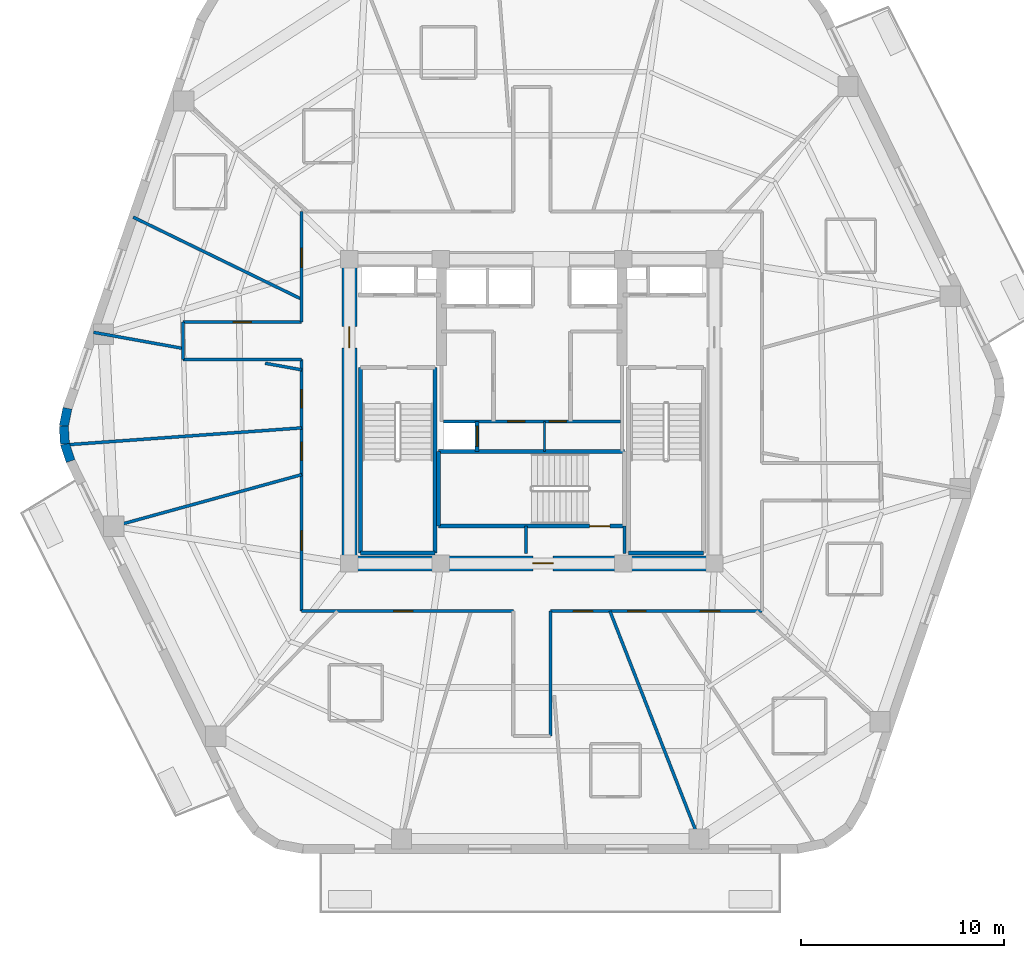
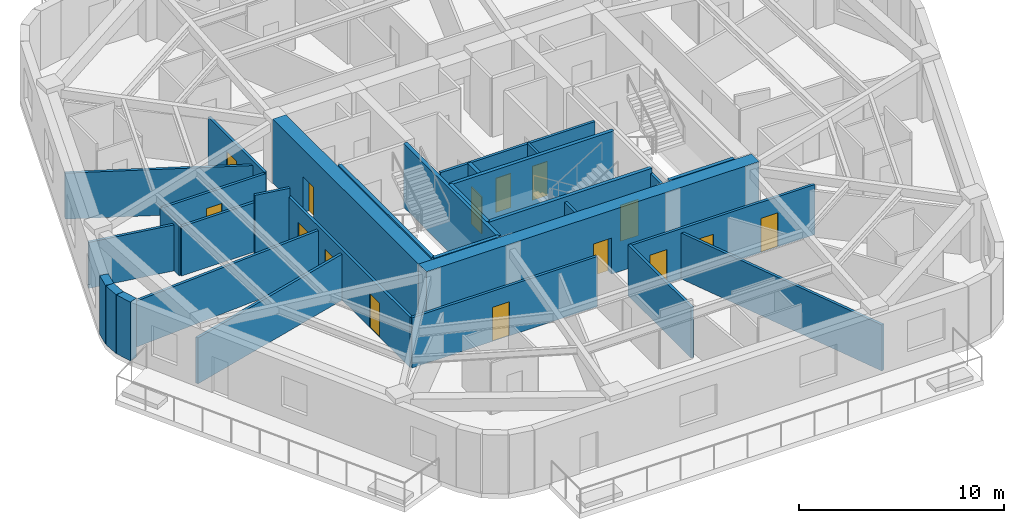
# One storey, part 3 of 10: 31 walls, 15 doors, 15 openings.
"""IFC4 building model written with IfcOpenShell, lengths in metres."""

from ifc_helpers import new_model, si_unit, direction, frame, frame_2d, origin, place, context, subcontext, project, spatial, rectangle, extrude, material, layer, layer_set, type_object, element, fill, save


model = new_model("IFC4")

# Units and contexts
model_context = context("Model", 3, precision=1e-05, world=origin(), true_north=direction((0.0, 1.0)))
body_context = subcontext(model_context, "Body", "Model", "MODEL_VIEW")
ifc_project = project(units=[si_unit("LENGTHUNIT", "METRE"), si_unit("AREAUNIT", "SQUARE_METRE"), si_unit("VOLUMEUNIT", "CUBIC_METRE"), si_unit("PLANEANGLEUNIT", "RADIAN"), si_unit("MASSUNIT", "GRAM", prefix="KILO")], contexts=[model_context])

# Site, building, storey
site_placement = place(None, origin())
site = spatial("IfcSite", under=ifc_project, at=site_placement, CompositionType="ELEMENT")
building_placement = place(site_placement, origin())
building = spatial("IfcBuilding", under=site, at=building_placement, Name="Kilnhurst Terrace Hotel", CompositionType="ELEMENT")
storey_placement = place(building_placement, frame((0.0, 0.0, 217.89990234375)))
storey = spatial("IfcBuildingStorey", under=building, at=storey_placement, Name="L54", CompositionType="ELEMENT", Elevation=217.89990234375)

# Walls
ifc_material_1 = material(Name="Precast concrete C40/50", Category="concrete")
ifc_layer_1 = layer(ifc_material_1, 0.449951171875, Name="Precast concrete C40/50")
ifc_layer_set_1 = layer_set([ifc_layer_1], Name="Precast concrete C40/50")
wall_type_1 = type_object("IfcWallType", Name="WL-BRK-450", PredefinedType="SOLIDWALL", material=ifc_layer_set_1)
wall_1_placement = place(storey_placement, frame((-22.8984375, 0.149658203125, 0.0), z_axis=(0.0, 0.0, 1.0), x_axis=(-0.199055826889, -0.979988151858, 0.0)))
element("IfcWall", 1, at=wall_1_placement, inside=storey, type_object=wall_type_1, Name="L54 Rounded Corner Brick Wall C6.1", PredefinedType="SOLIDWALL", context=body_context, shape_type="SweptSolid", body=[
    extrude(rectangle(XDim=0.89404296875, YDim=0.449951171875, at=frame_2d((0.447021484375, 0.0))), origin(), (0.0, 0.0, 1.0), 3.5),
])
wall_2_placement = place(storey_placement, frame((-23.076416015625, -0.7265625, 0.0), z_axis=(0.0, 0.0, 1.0), x_axis=(0.060805222108, -0.998149650586, 0.0)))
element("IfcWall", 2, at=wall_2_placement, inside=storey, type_object=wall_type_1, Name="L54 Rounded Corner Brick Wall C6.2", PredefinedType="SOLIDWALL", context=body_context, shape_type="SweptSolid", body=[
    extrude(rectangle(XDim=0.87939453125, YDim=0.449951171875, at=frame_2d((0.439697265625, 0.0))), origin(), (0.0, 0.0, 1.0), 3.5),
])
wall_3_placement = place(storey_placement, frame((-23.02294921875, -1.604248046875, 0.0), z_axis=(0.0, 0.0, 1.0), x_axis=(0.316801227695, -0.948491951537, 0.0)))
element("IfcWall", 3, at=wall_3_placement, inside=storey, type_object=wall_type_1, Name="L54 Rounded Corner Brick Wall C6.3", PredefinedType="SOLIDWALL", context=body_context, shape_type="SweptSolid", body=[
    extrude(rectangle(XDim=0.89404296875, YDim=0.449951171875, at=frame_2d((0.447021484375, 0.0))), origin(), (0.0, 0.0, 1.0), 3.5),
])

# Wall, openings, doors
ifc_material_2 = material(Name="Acoustic Double-Gypsum Corridor Partition Assembly")
ifc_layer_2 = layer(ifc_material_2, 0.14990234375, Name="Acoustic Double-Gypsum Corridor Partition Assembly")
ifc_layer_set_2 = layer_set([ifc_layer_2], Name="Acoustic Double-Gypsum Corridor Partition Assembly")
wall_type_2 = type_object("IfcWallType", Name="WL-COR-150", PredefinedType="PARTITIONING", material=ifc_layer_set_2)
wall_4_placement = place(storey_placement, frame((-11.35009765625, -9.85009765625, 0.0), z_axis=(0.0, 0.0, 1.0), x_axis=(0.0, 1.0, 0.0)))
wall_4 = element("IfcWall", 4, at=wall_4_placement, inside=storey, type_object=wall_type_2, Name="L54 Interior Wall WL-L54-COR-01", PredefinedType="PARTITIONING", context=body_context, shape_type="SweptSolid", body=[
    extrude(rectangle(XDim=12.400146484375, YDim=0.14990234375, at=frame_2d((6.2001953125, 0.0))), origin(), (0.0, 0.0, 1.0), 2.989990234375),
])
opening_1_placement = place(wall_4_placement, frame((10.01708984375, 0.0, 0.0)))
opening_1 = element("IfcOpeningElement", 5, at=opening_1_placement, cuts=wall_4, Name="Opening D-60C", PredefinedType="OPENING", context=body_context, shape_type="SweptSolid", body=[
    extrude(rectangle(XDim=0.89990234375, YDim=2.030029296875, at=frame_2d((0.449951171875, 1.01513671875))), frame((0.0, 0.0849609375, 0.0), z_axis=(0.0, -1.0, 0.0), x_axis=(1.0, 0.0, 0.0)), (0.0, 0.0, 1.0), 0.169921875),
])
opening_2_placement = place(wall_4_placement, frame((7.427001953125, 0.0, 0.0)))
opening_2 = element("IfcOpeningElement", 6, at=opening_2_placement, cuts=wall_4, Name="Opening D-60C", PredefinedType="OPENING", context=body_context, shape_type="SweptSolid", body=[
    extrude(rectangle(XDim=0.89990234375, YDim=2.030029296875, at=frame_2d((0.449951171875, 1.01513671875))), frame((0.0, 0.0849609375, 0.0), z_axis=(0.0, -1.0, 0.0), x_axis=(1.0, 0.0, 0.0)), (0.0, 0.0, 1.0), 0.169921875),
])
opening_3_placement = place(wall_4_placement, frame((3.010009765625, 0.0, 0.0)))
opening_3 = element("IfcOpeningElement", 7, at=opening_3_placement, cuts=wall_4, Name="Opening D-60B", PredefinedType="OPENING", context=body_context, shape_type="SweptSolid", body=[
    extrude(rectangle(XDim=0.949951171875, YDim=2.030029296875, at=frame_2d((0.47509765625, 1.01513671875))), frame((0.0, 0.0849609375, 0.0), z_axis=(0.0, -1.0, 0.0), x_axis=(1.0, 0.0, 0.0)), (0.0, 0.0, 1.0), 0.169921875),
])
ifc_material_3 = material(Name="Painted Solid-Core Service Fire Door")
door_type_1 = type_object("IfcDoorType", Name="DR-FD60-900", OperationType="NOTDEFINED", PredefinedType="DOOR", material=ifc_material_3)
door_1_placement = place(opening_1_placement, origin())
door_1 = element("IfcDoor", 8, at=door_1_placement, inside=storey, type_object=door_type_1, Name="L54 Botanical Reading Lounge Door 8", OperationType="SINGLE_SWING_RIGHT", OverallHeight=2.030029296875, OverallWidth=0.89990234375, PredefinedType="DOOR", context=body_context, shape_type="SweptSolid", body=[
    extrude(rectangle(XDim=0.89990234375, YDim=2.030029296875, at=frame_2d((0.449951171875, 1.01513671875))), frame((0.0, 0.02490234375, 0.0), z_axis=(0.0, -1.0, 0.0), x_axis=(1.0, 0.0, 0.0)), (0.0, 0.0, 1.0), 0.050048828125),
])
fill(opening_1, door_1)
door_2_placement = place(opening_2_placement, origin())
door_2 = element("IfcDoor", 9, at=door_2_placement, inside=storey, type_object=door_type_1, Name="L54 Private Meeting Salon Door 9", OperationType="SINGLE_SWING_LEFT", OverallHeight=2.030029296875, OverallWidth=0.89990234375, PredefinedType="DOOR", context=body_context, shape_type="SweptSolid", body=[
    extrude(rectangle(XDim=0.89990234375, YDim=2.030029296875, at=frame_2d((0.449951171875, 1.01513671875))), frame((0.0, 0.02490234375, 0.0), z_axis=(0.0, -1.0, 0.0), x_axis=(1.0, 0.0, 0.0)), (0.0, 0.0, 1.0), 0.050048828125),
])
fill(opening_2, door_2)
ifc_material_4 = material(Name="Acoustic Walnut Veneer Solid-Core Fire Door")
door_type_2 = type_object("IfcDoorType", Name="DR-FD60-950", OperationType="NOTDEFINED", PredefinedType="DOOR", material=ifc_material_4)
door_3_placement = place(opening_3_placement, origin())
door_3 = element("IfcDoor", 10, at=door_3_placement, inside=storey, type_object=door_type_2, Name="L54 Wellness Treatment Suite Door", OperationType="SINGLE_SWING_RIGHT", OverallHeight=2.030029296875, OverallWidth=0.949951171875, PredefinedType="DOOR", context=body_context, shape_type="SweptSolid", body=[
    extrude(rectangle(XDim=0.949951171875, YDim=2.030029296875, at=frame_2d((0.47509765625, 1.01513671875))), frame((0.0, 0.02490234375, 0.0), z_axis=(0.0, -1.0, 0.0), x_axis=(1.0, 0.0, 0.0)), (0.0, 0.0, 1.0), 0.050048828125),
])
fill(opening_3, door_3)

# Walls
wall_5_placement = place(storey_placement, frame((-11.35009765625, 2.550048828125, 0.0), z_axis=(0.0, 0.0, 1.0), x_axis=(-1.0, 0.0, 0.0)))
element("IfcWall", 11, at=wall_5_placement, inside=storey, type_object=wall_type_2, Name="L54 Interior Wall WL-L54-COR-02", PredefinedType="PARTITIONING", context=body_context, shape_type="SweptSolid", body=[
    extrude(rectangle(XDim=5.849853515625, YDim=0.14990234375, at=frame_2d((2.9248046875, 0.0))), origin(), (0.0, 0.0, 1.0), 2.940673828125),
])
wall_6_placement = place(storey_placement, frame((-17.199951171875, 2.550048828125, 0.0), z_axis=(0.0, 0.0, 1.0), x_axis=(0.0, 1.0, 0.0)))
element("IfcWall", 12, at=wall_6_placement, inside=storey, type_object=wall_type_2, Name="L54 Interior Wall WL-L54-COR-03", PredefinedType="PARTITIONING", context=body_context, shape_type="SweptSolid", body=[
    extrude(rectangle(XDim=1.849853515625, YDim=0.14990234375, at=frame_2d((0.9248046875, 0.0))), origin(), (0.0, 0.0, 1.0), 2.940673828125),
])

# Wall, opening, door
wall_7_placement = place(storey_placement, frame((-17.199951171875, 4.39990234375, 0.0), z_axis=(0.0, 0.0, 1.0), x_axis=(1.0, 0.0, 0.0)))
wall_7 = element("IfcWall", 13, at=wall_7_placement, inside=storey, type_object=wall_type_2, Name="L54 Interior Wall WL-L54-COR-04", PredefinedType="PARTITIONING", context=body_context, shape_type="SweptSolid", body=[
    extrude(rectangle(XDim=5.849853515625, YDim=0.14990234375, at=frame_2d((2.9248046875, 0.0))), origin(), (0.0, 0.0, 1.0), 2.940673828125),
])
opening_4_placement = place(wall_7_placement, frame((2.47509765625, 0.0, 0.0)))
opening_4 = element("IfcOpeningElement", 14, at=opening_4_placement, cuts=wall_7, Name="Opening D-60C", PredefinedType="OPENING", context=body_context, shape_type="SweptSolid", body=[
    extrude(rectangle(XDim=0.89990234375, YDim=2.030029296875, at=frame_2d((0.449951171875, 1.01513671875))), frame((0.0, 0.0849609375, 0.0), z_axis=(0.0, -1.0, 0.0), x_axis=(1.0, 0.0, 0.0)), (0.0, 0.0, 1.0), 0.169921875),
])
door_4_placement = place(opening_4_placement, origin())
door_4 = element("IfcDoor", 15, at=door_4_placement, inside=storey, type_object=door_type_1, Name="L54 Executive Work Office Door 7", OperationType="SINGLE_SWING_LEFT", OverallHeight=2.030029296875, OverallWidth=0.89990234375, PredefinedType="DOOR", context=body_context, shape_type="SweptSolid", body=[
    extrude(rectangle(XDim=0.89990234375, YDim=2.030029296875, at=frame_2d((0.449951171875, 1.01513671875))), frame((0.0, 0.02490234375, 0.0), z_axis=(0.0, -1.0, 0.0), x_axis=(1.0, 0.0, 0.0)), (0.0, 0.0, 1.0), 0.050048828125),
])
fill(opening_4, door_4)

wall_8_placement = place(storey_placement, frame((-11.35009765625, 4.39990234375, 0.0), z_axis=(0.0, 0.0, 1.0), x_axis=(0.0, 1.0, 0.0)))
wall_8 = element("IfcWall", 16, at=wall_8_placement, inside=storey, type_object=wall_type_2, Name="L54 Interior Wall WL-L54-COR-05", PredefinedType="PARTITIONING", context=body_context, shape_type="SweptSolid", body=[
    extrude(rectangle(XDim=5.4501953125, YDim=0.14990234375, at=frame_2d((2.72509765625, 0.0))), origin(), (0.0, 0.0, 1.0), 2.989990234375),
])
opening_5_placement = place(wall_8_placement, frame((2.694091796875, 0.0, 0.0)))
opening_5 = element("IfcOpeningElement", 17, at=opening_5_placement, cuts=wall_8, Name="Opening D-60B", PredefinedType="OPENING", context=body_context, shape_type="SweptSolid", body=[
    extrude(rectangle(XDim=0.949951171875, YDim=2.030029296875, at=frame_2d((0.47509765625, 1.01513671875))), frame((0.0, 0.0849609375, 0.0), z_axis=(0.0, -1.0, 0.0), x_axis=(1.0, 0.0, 0.0)), (0.0, 0.0, 1.0), 0.169921875),
])
door_5_placement = place(opening_5_placement, origin())
door_5 = element("IfcDoor", 18, at=door_5_placement, inside=storey, type_object=door_type_2, Name="L54 Guest Room Entry Door 6", OperationType="SINGLE_SWING_RIGHT", OverallHeight=2.030029296875, OverallWidth=0.949951171875, PredefinedType="DOOR", context=body_context, shape_type="SweptSolid", body=[
    extrude(rectangle(XDim=0.949951171875, YDim=2.030029296875, at=frame_2d((0.47509765625, 1.01513671875))), frame((0.0, 0.02490234375, 0.0), z_axis=(0.0, -1.0, 0.0), x_axis=(1.0, 0.0, 0.0)), (0.0, 0.0, 1.0), 0.050048828125),
])
fill(opening_5, door_5)

# Wall, openings, doors
wall_9_placement = place(storey_placement, frame((11.35009765625, -9.85009765625, 0.0), z_axis=(0.0, 0.0, 1.0), x_axis=(-1.0, 0.0, 0.0)))
wall_9 = element("IfcWall", 19, at=wall_9_placement, inside=storey, type_object=wall_type_2, Name="L54 Interior Wall WL-L54-COR-16", PredefinedType="PARTITIONING", context=body_context, shape_type="SweptSolid", body=[
    extrude(rectangle(XDim=10.43017578125, YDim=0.14990234375, at=frame_2d((5.215087890625, 0.0))), origin(), (0.0, 0.0, 1.0), 2.989990234375),
])
opening_6_placement = place(wall_9_placement, frame((8.362060546875, 0.0, 0.0)))
opening_6 = element("IfcOpeningElement", 20, at=opening_6_placement, cuts=wall_9, Name="Opening D-60B", PredefinedType="OPENING", context=body_context, shape_type="SweptSolid", body=[
    extrude(rectangle(XDim=0.949951171875, YDim=2.030029296875, at=frame_2d((0.47509765625, 1.01513671875))), frame((0.0, 0.0849609375, 0.0), z_axis=(0.0, -1.0, 0.0), x_axis=(1.0, 0.0, 0.0)), (0.0, 0.0, 1.0), 0.169921875),
])
opening_7_placement = place(wall_9_placement, frame((5.72998046875, 0.0, 0.0)))
opening_7 = element("IfcOpeningElement", 21, at=opening_7_placement, cuts=wall_9, Name="Opening D-60C", PredefinedType="OPENING", context=body_context, shape_type="SweptSolid", body=[
    extrude(rectangle(XDim=0.89990234375, YDim=2.030029296875, at=frame_2d((0.449951171875, 1.01513671875))), frame((0.0, 0.0849609375, 0.0), z_axis=(0.0, -1.0, 0.0), x_axis=(1.0, 0.0, 0.0)), (0.0, 0.0, 1.0), 0.169921875),
])
opening_8_placement = place(wall_9_placement, frame((2.097900390625, 0.0, 0.0)))
opening_8 = element("IfcOpeningElement", 22, at=opening_8_placement, cuts=wall_9, Name="Opening D-60B", PredefinedType="OPENING", context=body_context, shape_type="SweptSolid", body=[
    extrude(rectangle(XDim=0.949951171875, YDim=2.030029296875, at=frame_2d((0.47509765625, 1.01513671875))), frame((0.0, 0.0849609375, 0.0), z_axis=(0.0, -1.0, 0.0), x_axis=(1.0, 0.0, 0.0)), (0.0, 0.0, 1.0), 0.169921875),
])
door_6_placement = place(opening_7_placement, origin())
door_6 = element("IfcDoor", 23, at=door_6_placement, inside=storey, type_object=door_type_1, Name="L54 Private Tasting Dining Room Door 14", OperationType="SINGLE_SWING_RIGHT", OverallHeight=2.030029296875, OverallWidth=0.89990234375, PredefinedType="DOOR", context=body_context, shape_type="SweptSolid", body=[
    extrude(rectangle(XDim=0.89990234375, YDim=2.030029296875, at=frame_2d((0.449951171875, 1.01513671875))), frame((0.0, 0.02490234375, 0.0), z_axis=(0.0, -1.0, 0.0), x_axis=(1.0, 0.0, 0.0)), (0.0, 0.0, 1.0), 0.050048828125),
])
fill(opening_7, door_6)
door_7_placement = place(opening_6_placement, origin())
door_7 = element("IfcDoor", 24, at=door_7_placement, inside=storey, type_object=door_type_2, Name="L54 Guest Room Entry Door 13", OperationType="SINGLE_SWING_LEFT", OverallHeight=2.030029296875, OverallWidth=0.949951171875, PredefinedType="DOOR", context=body_context, shape_type="SweptSolid", body=[
    extrude(rectangle(XDim=0.949951171875, YDim=2.030029296875, at=frame_2d((0.47509765625, 1.01513671875))), frame((0.0, 0.02490234375, 0.0), z_axis=(0.0, -1.0, 0.0), x_axis=(1.0, 0.0, 0.0)), (0.0, 0.0, 1.0), 0.050048828125),
])
fill(opening_6, door_7)
door_8_placement = place(opening_8_placement, origin())
door_8 = element("IfcDoor", 25, at=door_8_placement, inside=storey, type_object=door_type_2, Name="L54 Guest Room Entry Door 15", OperationType="SINGLE_SWING_LEFT", OverallHeight=2.030029296875, OverallWidth=0.949951171875, PredefinedType="DOOR", context=body_context, shape_type="SweptSolid", body=[
    extrude(rectangle(XDim=0.949951171875, YDim=2.030029296875, at=frame_2d((0.47509765625, 1.01513671875))), frame((0.0, 0.02490234375, 0.0), z_axis=(0.0, -1.0, 0.0), x_axis=(1.0, 0.0, 0.0)), (0.0, 0.0, 1.0), 0.050048828125),
])
fill(opening_8, door_8)

# Wall
wall_10_placement = place(storey_placement, frame((0.919921875, -9.85009765625, 0.0), z_axis=(0.0, 0.0, 1.0), x_axis=(0.0, -1.0, 0.0)))
element("IfcWall", 26, at=wall_10_placement, inside=storey, type_object=wall_type_2, Name="L54 Interior Wall WL-L54-COR-17", PredefinedType="PARTITIONING", context=body_context, shape_type="SweptSolid", body=[
    extrude(rectangle(XDim=6.14990234375, YDim=0.14990234375, at=frame_2d((3.074951171875, 0.0))), origin(), (0.0, 0.0, 1.0), 3.026611328125),
])

# Wall, opening, door
wall_11_placement = place(storey_placement, frame((-0.919921875, -9.85009765625, 0.0), z_axis=(0.0, 0.0, 1.0), x_axis=(-1.0, 0.0, 0.0)))
wall_11 = element("IfcWall", 27, at=wall_11_placement, inside=storey, type_object=wall_type_2, Name="L54 Interior Wall WL-L54-COR-20", PredefinedType="PARTITIONING", context=body_context, shape_type="SweptSolid", body=[
    extrude(rectangle(XDim=10.43017578125, YDim=0.14990234375, at=frame_2d((5.215087890625, 0.0))), origin(), (0.0, 0.0, 1.0), 2.989990234375),
])
opening_9_placement = place(wall_11_placement, frame((4.948974609375, 0.0, 0.0)))
opening_9 = element("IfcOpeningElement", 28, at=opening_9_placement, cuts=wall_11, Name="Opening D-60B", PredefinedType="OPENING", context=body_context, shape_type="SweptSolid", body=[
    extrude(rectangle(XDim=0.949951171875, YDim=2.030029296875, at=frame_2d((0.47509765625, 1.01513671875))), frame((0.0, 0.0849609375, 0.0), z_axis=(0.0, -1.0, 0.0), x_axis=(1.0, 0.0, 0.0)), (0.0, 0.0, 1.0), 0.169921875),
])
door_9_placement = place(opening_9_placement, origin())
door_9 = element("IfcDoor", 29, at=door_9_placement, inside=storey, type_object=door_type_2, Name="L54 Executive Suite Entry Door 11", OperationType="SINGLE_SWING_LEFT", OverallHeight=2.030029296875, OverallWidth=0.949951171875, PredefinedType="DOOR", context=body_context, shape_type="SweptSolid", body=[
    extrude(rectangle(XDim=0.949951171875, YDim=2.030029296875, at=frame_2d((0.47509765625, 1.01513671875))), frame((0.0, 0.02490234375, 0.0), z_axis=(0.0, -1.0, 0.0), x_axis=(1.0, 0.0, 0.0)), (0.0, 0.0, 1.0), 0.050048828125),
])
fill(opening_9, door_9)

ifc_material_5 = material(Name="Concrete C60/75", Category="concrete")
ifc_layer_3 = layer(ifc_material_5, 0.75, Name="Concrete C60/75")
ifc_layer_set_3 = layer_set([ifc_layer_3], Name="Concrete C60/75")
wall_type_3 = type_object("IfcWallType", Name="WL-CORE-750", PredefinedType="SHEAR", material=ifc_layer_set_3)
wall_12_placement = place(storey_placement, frame((-9.375, -7.5, 0.0), z_axis=(0.0, 0.0, 1.0), x_axis=(1.0, 0.0, 0.0)))
wall_12 = element("IfcWall", 30, at=wall_12_placement, inside=storey, type_object=wall_type_3, Name="L54 Core South Shear Wall", PredefinedType="SHEAR", context=body_context, shape_type="SweptSolid", body=[
    extrude(rectangle(XDim=18.75, YDim=0.75, at=frame_2d((9.375, 0.0))), origin(), (0.0, 0.0, 1.0), 3.800048828125),
])
opening_10_placement = place(wall_12_placement, frame((9.425048828125, 0.0, 0.0)))
opening_10 = element("IfcOpeningElement", 31, at=opening_10_placement, cuts=wall_12, Name="Opening D-90B", PredefinedType="OPENING", context=body_context, shape_type="SweptSolid", body=[
    extrude(rectangle(XDim=1.0, YDim=2.14990234375, at=frame_2d((0.5, 1.074951171875))), frame((0.0, 0.385009765625, 0.0), z_axis=(0.0, -1.0, 0.0), x_axis=(1.0, 0.0, 0.0)), (0.0, 0.0, 1.0), 0.77001953125),
])
ifc_material_6 = material(Name="Painted Hollow Metal Steel ASTM A36 Fire Door", Category="steel")
door_type_3 = type_object("IfcDoorType", Name="DR-FD90-1000", OperationType="NOTDEFINED", PredefinedType="DOOR", material=ifc_material_6)
door_10_placement = place(opening_10_placement, origin())
door_10 = element("IfcDoor", 32, at=door_10_placement, inside=storey, type_object=door_type_3, Name="L54 Stair ST-3 Corridor Door", OperationType="SINGLE_SWING_RIGHT", OverallHeight=2.14990234375, OverallWidth=1.0, PredefinedType="DOOR", context=body_context, shape_type="SweptSolid", body=[
    extrude(rectangle(XDim=1.0, YDim=2.14990234375, at=frame_2d((0.5, 1.074951171875))), frame((0.0, 0.02490234375, 0.0), z_axis=(0.0, -1.0, 0.0), x_axis=(1.0, 0.0, 0.0)), (0.0, 0.0, 1.0), 0.050048828125),
])
fill(opening_10, door_10)

wall_13_placement = place(storey_placement, frame((-9.0, -7.125, 0.0), z_axis=(0.0, 0.0, 1.0), x_axis=(0.0, 1.0, 0.0)))
wall_13 = element("IfcWall", 33, at=wall_13_placement, inside=storey, type_object=wall_type_3, Name="L54 Core West Shear Wall", PredefinedType="SHEAR", context=body_context, shape_type="SweptSolid", body=[
    extrude(rectangle(XDim=14.25, YDim=0.75, at=frame_2d((7.125, 0.0))), origin(), (0.0, 0.0, 1.0), 3.800048828125),
])
opening_11_placement = place(wall_13_placement, frame((10.25, 0.0, 0.0)))
opening_11 = element("IfcOpeningElement", 34, at=opening_11_placement, cuts=wall_13, Name="Opening D-90A", PredefinedType="OPENING", context=body_context, shape_type="SweptSolid", body=[
    extrude(rectangle(XDim=1.050048828125, YDim=2.14990234375, at=frame_2d((0.52490234375, 1.074951171875))), frame((0.0, 0.385009765625, 0.0), z_axis=(0.0, -1.0, 0.0), x_axis=(1.0, 0.0, 0.0)), (0.0, 0.0, 1.0), 0.77001953125),
])
door_type_4 = type_object("IfcDoorType", Name="DR-FD90-1050", OperationType="NOTDEFINED", PredefinedType="DOOR", material=ifc_material_6)
door_11_placement = place(opening_11_placement, origin())
door_11 = element("IfcDoor", 35, at=door_11_placement, inside=storey, type_object=door_type_4, Name="L54 West Firefighting Lobby Door", OperationType="SINGLE_SWING_RIGHT", OverallHeight=2.14990234375, OverallWidth=1.050048828125, PredefinedType="DOOR", context=body_context, shape_type="SweptSolid", body=[
    extrude(rectangle(XDim=1.050048828125, YDim=2.14990234375, at=frame_2d((0.52490234375, 1.074951171875))), frame((0.0, 0.02490234375, 0.0), z_axis=(0.0, -1.0, 0.0), x_axis=(1.0, 0.0, 0.0)), (0.0, 0.0, 1.0), 0.050048828125),
])
fill(opening_11, door_11)

# Walls
ifc_material_7 = material(Name="STC-58 Acoustic Twin-Frame Guestroom Demising Partition")
ifc_layer_4 = layer(ifc_material_7, 0.14990234375, Name="STC-58 Acoustic Twin-Frame Guestroom Demising Partition")
ifc_layer_set_4 = layer_set([ifc_layer_4], Name="STC-58 Acoustic Twin-Frame Guestroom Demising Partition")
wall_type_4 = type_object("IfcWallType", Name="WL-DEM-150", PredefinedType="PARTITIONING", material=ifc_layer_set_4)
wall_14_placement = place(storey_placement, frame((-11.35009765625, 5.528076171875, 0.0), z_axis=(0.0, 0.0, 1.0), x_axis=(-0.899038669565, 0.437869239188, 0.0)))
element("IfcWall", 36, at=wall_14_placement, inside=storey, type_object=wall_type_4, Name="L54 Interior Wall WL-L54-DEM-MID05-07-1", PredefinedType="PARTITIONING", context=body_context, shape_type="SweptSolid", body=[
    extrude(rectangle(XDim=9.24169921875, YDim=0.14990234375, at=frame_2d((4.620849609375, 0.0))), origin(), (0.0, 0.0, 1.0), 2.739990234375),
])
wall_15_placement = place(storey_placement, frame((-11.35009765625, 2.046142578125, 0.0), z_axis=(0.0, 0.0, 1.0), x_axis=(-0.984127783205, 0.177461281195, 0.0)))
element("IfcWall", 37, at=wall_15_placement, inside=storey, type_object=wall_type_4, Name="L54 Interior Wall WL-L54-DEM-COL06-08-1", PredefinedType="PARTITIONING", context=body_context, shape_type="SweptSolid", body=[
    extrude(rectangle(XDim=1.82568359375, YDim=0.14990234375, at=frame_2d((0.912841796875, 0.0))), origin(), (0.0, 0.0, 1.0), 3.5),
])
wall_16_placement = place(storey_placement, frame((-17.199951171875, 3.1005859375, 0.0), z_axis=(0.0, 0.0, 1.0), x_axis=(-0.98413465883, 0.177423147559, 0.0)))
element("IfcWall", 38, at=wall_16_placement, inside=storey, type_object=wall_type_4, Name="L54 Interior Wall WL-L54-DEM-COL06-08-2", PredefinedType="PARTITIONING", context=body_context, shape_type="SweptSolid", body=[
    extrude(rectangle(XDim=4.481689453125, YDim=0.14990234375, at=frame_2d((2.24072265625, 0.0))), origin(), (0.0, 0.0, 1.0), 2.739990234375),
])
wall_17_placement = place(storey_placement, frame((-11.35009765625, -0.816162109375, 0.0), z_axis=(0.0, 0.0, 1.0), x_axis=(-0.997425460629, -0.071710881252, 0.0)))
element("IfcWall", 39, at=wall_17_placement, inside=storey, type_object=wall_type_4, Name="L54 Interior Wall WL-L54-DEM-MID06-09-1", PredefinedType="PARTITIONING", context=body_context, shape_type="SweptSolid", body=[
    extrude(rectangle(XDim=11.520751953125, YDim=0.14990234375, at=frame_2d((5.76025390625, 0.0))), origin(), (0.0, 0.0, 1.0), 2.739990234375),
])
wall_18_placement = place(storey_placement, frame((-11.35009765625, -3.12060546875, 0.0), z_axis=(0.0, 0.0, 1.0), x_axis=(-0.964212793822, -0.265129568758, 0.0)))
element("IfcWall", 40, at=wall_18_placement, inside=storey, type_object=wall_type_4, Name="L54 Interior Wall WL-L54-DEM-COL07-10-1", PredefinedType="PARTITIONING", context=body_context, shape_type="SweptSolid", body=[
    extrude(rectangle(XDim=10.119873046875, YDim=0.14990234375, at=frame_2d((5.06005859375, 0.0))), origin(), (0.0, 0.0, 1.0), 2.739990234375),
])
wall_19_placement = place(storey_placement, frame((3.848388671875, -9.85009765625, 0.0), z_axis=(0.0, 0.0, 1.0), x_axis=(0.363921778212, -0.931429513889, 0.0)))
element("IfcWall", 41, at=wall_19_placement, inside=storey, type_object=wall_type_4, Name="L54 Interior Wall WL-L54-DEM-COL10-14-1", PredefinedType="PARTITIONING", context=body_context, shape_type="SweptSolid", body=[
    extrude(rectangle(XDim=12.588134765625, YDim=0.14990234375, at=frame_2d((6.2939453125, 0.0))), origin(), (0.0, 0.0, 1.0), 2.739990234375),
])
ifc_material_8 = material(Name="120 mm Moisture-Resistant Tile-Backed Bathroom Partition")
ifc_layer_5 = layer(ifc_material_8, 0.1201171875, Name="120 mm Moisture-Resistant Tile-Backed Bathroom Partition")
ifc_layer_set_5 = layer_set([ifc_layer_5], Name="120 mm Moisture-Resistant Tile-Backed Bathroom Partition")
wall_type_5 = type_object("IfcWallType", Name="WL-PART-120", PredefinedType="PARTITIONING", material=ifc_layer_set_5)
wall_20_placement = place(storey_placement, frame((0.6201171875, -1.971923828125, 0.0), z_axis=(0.0, 0.0, 1.0), x_axis=(0.0, 1.0, 0.0)))
element("IfcWall", 42, at=wall_20_placement, inside=storey, type_object=wall_type_5, Name="L54 Interior Wall WL-L54-BOH-C1", PredefinedType="PARTITIONING", context=body_context, shape_type="SweptSolid", body=[
    extrude(rectangle(XDim=1.471923828125, YDim=0.1201171875, at=frame_2d((0.73583984375, 0.0))), origin(), (0.0, 0.0, 1.0), 3.5),
])
ifc_material_9 = material(Name="Fire-Rated Gypsum Shaftliner Assembly")
ifc_layer_6 = layer(ifc_material_9, 0.14990234375, Name="Fire-Rated Gypsum Shaftliner Assembly")
ifc_layer_set_6 = layer_set([ifc_layer_6], Name="Fire-Rated Gypsum Shaftliner Assembly")
wall_type_6 = type_object("IfcWallType", Name="WL-SHAFT-150", PredefinedType="PARTITIONING", material=ifc_layer_set_6)
for number, where, z_axis, x_axis, name in (
    (43, (-0.300048828125, -7.02001953125, 0.0), (0.0, 0.0, 1.0), (0.0, 1.0, 0.0), "L54 Interior Wall WL-L54-ST3-PSGW"),
    (44, (4.55810546875, -7.02001953125, 0.0), (0.0, 0.0, 1.0), (0.0, 1.0, 0.0), "L54 Interior Wall WL-L54-ST3-PSGE"),
):
    element("IfcWall", number, at=place(storey_placement, frame(where, z_axis=z_axis, x_axis=x_axis)), inside=storey, type_object=wall_type_6, Name=name, PredefinedType="PARTITIONING", context=body_context, shape_type="SweptSolid", body=[
        extrude(rectangle(XDim=1.362060546875, YDim=0.14990234375, at=frame_2d((0.68115234375, 0.0))), origin(), (0.0, 0.0, 1.0), 3.5),
    ])

# Wall, openings, doors
wall_21_placement = place(storey_placement, frame((-4.360107421875, -0.489990234375, 0.0), z_axis=(0.0, 0.0, 1.0), x_axis=(1.0, 0.0, 0.0)))
wall_21 = element("IfcWall", 45, at=wall_21_placement, inside=storey, type_object=wall_type_6, Name="L54 Interior Wall WL-L54-BOH-N", PredefinedType="PARTITIONING", context=body_context, shape_type="SweptSolid", body=[
    extrude(rectangle(XDim=8.72021484375, YDim=0.14990234375, at=frame_2d((4.360107421875, 0.0))), origin(), (0.0, 0.0, 1.0), 3.5),
])
opening_12_placement = place(wall_21_placement, frame((3.159912109375, 0.0, 0.0)))
opening_12 = element("IfcOpeningElement", 46, at=opening_12_placement, cuts=wall_21, Name="Opening D-60D", PredefinedType="OPENING", context=body_context, shape_type="SweptSolid", body=[
    extrude(rectangle(XDim=0.85009765625, YDim=2.030029296875, at=frame_2d((0.425048828125, 1.01513671875))), frame((0.0, 0.0849609375, 0.0), z_axis=(0.0, -1.0, 0.0), x_axis=(1.0, 0.0, 0.0)), (0.0, 0.0, 1.0), 0.169921875),
])
opening_13_placement = place(wall_21_placement, frame((5.2099609375, 0.0, 0.0)))
opening_13 = element("IfcOpeningElement", 47, at=opening_13_placement, cuts=wall_21, Name="Opening D-60D", PredefinedType="OPENING", context=body_context, shape_type="SweptSolid", body=[
    extrude(rectangle(XDim=0.85009765625, YDim=2.030029296875, at=frame_2d((0.425048828125, 1.01513671875))), frame((0.0, 0.0849609375, 0.0), z_axis=(0.0, -1.0, 0.0), x_axis=(1.0, 0.0, 0.0)), (0.0, 0.0, 1.0), 0.169921875),
])
ifc_material_10 = material(Name="Painted Hollow Metal Steel ASTM A36 Riser Door", Category="steel")
door_type_5 = type_object("IfcDoorType", Name="DR-FD60-850", OperationType="NOTDEFINED", PredefinedType="DOOR", material=ifc_material_10)
door_12_placement = place(opening_12_placement, origin())
door_12 = element("IfcDoor", 48, at=door_12_placement, inside=storey, type_object=door_type_5, Name="L54 Housekeeping Laundry Door", OperationType="SINGLE_SWING_LEFT", OverallHeight=2.030029296875, OverallWidth=0.85009765625, PredefinedType="DOOR", context=body_context, shape_type="SweptSolid", body=[
    extrude(rectangle(XDim=0.85009765625, YDim=2.030029296875, at=frame_2d((0.425048828125, 1.01513671875))), frame((0.0, 0.02490234375, 0.0), z_axis=(0.0, -1.0, 0.0), x_axis=(1.0, 0.0, 0.0)), (0.0, 0.0, 1.0), 0.050048828125),
])
fill(opening_12, door_12)
door_13_placement = place(opening_13_placement, origin())
door_13 = element("IfcDoor", 49, at=door_13_placement, inside=storey, type_object=door_type_5, Name="L54 Room Service Kitchen Door", OperationType="SINGLE_SWING_RIGHT", OverallHeight=2.030029296875, OverallWidth=0.85009765625, PredefinedType="DOOR", context=body_context, shape_type="SweptSolid", body=[
    extrude(rectangle(XDim=0.85009765625, YDim=2.030029296875, at=frame_2d((0.425048828125, 1.01513671875))), frame((0.0, 0.02490234375, 0.0), z_axis=(0.0, -1.0, 0.0), x_axis=(1.0, 0.0, 0.0)), (0.0, 0.0, 1.0), 0.050048828125),
])
fill(opening_13, door_13)

# Wall, opening, door
ifc_material_11 = material(Name="Autoclaved Aerated Concrete C30/37 and Gypsum Shaft Assembly", Category="concrete")
ifc_layer_7 = layer(ifc_material_11, 0.199951171875, Name="Autoclaved Aerated Concrete C30/37 and Gypsum Shaft Assembly")
ifc_layer_set_7 = layer_set([ifc_layer_7], Name="Autoclaved Aerated Concrete C30/37 and Gypsum Shaft Assembly")
wall_type_7 = type_object("IfcWallType", Name="WL-SHAFT-200", PredefinedType="PARTITIONING", material=ifc_layer_set_7)
wall_22_placement = place(storey_placement, frame((-2.699951171875, -1.971923828125, 0.0), z_axis=(0.0, 0.0, 1.0), x_axis=(0.0, 1.0, 0.0)))
wall_22 = element("IfcWall", 50, at=wall_22_placement, inside=storey, type_object=wall_type_7, Name="L54 Interior Wall WL-L54-SRV1-E", PredefinedType="PARTITIONING", context=body_context, shape_type="SweptSolid", body=[
    extrude(rectangle(XDim=1.471923828125, YDim=0.199951171875, at=frame_2d((0.73583984375, 0.0))), origin(), (0.0, 0.0, 1.0), 3.5),
])
opening_14_placement = place(wall_22_placement, frame((0.239990234375, 0.0, 0.0)))
opening_14 = element("IfcOpeningElement", 51, at=opening_14_placement, cuts=wall_22, Name="Opening LD-SV", PredefinedType="OPENING", context=body_context, shape_type="SweptSolid", body=[
    extrude(rectangle(XDim=1.0, YDim=2.199951171875, at=frame_2d((0.5, 1.10009765625))), frame((0.0, 0.10986328125, 0.0), z_axis=(0.0, -1.0, 0.0), x_axis=(1.0, 0.0, 0.0)), (0.0, 0.0, 1.0), 0.219970703125),
])
ifc_material_12 = material(Name="Bronze-Anodized Stainless Steel AISI 316L Sliding Door", Category="steel")
door_type_6 = type_object("IfcDoorType", Name="DR-LIFT-1000", OperationType="NOTDEFINED", PredefinedType="DOOR", material=ifc_material_12)
door_14_placement = place(opening_14_placement, origin())
door_14 = element("IfcDoor", 52, at=door_14_placement, inside=storey, type_object=door_type_6, Name="L54 Service Lift SRV-1 Landing Door", OperationType="SLIDING_TO_LEFT", OverallHeight=2.199951171875, OverallWidth=1.0, PredefinedType="DOOR", context=body_context, shape_type="SweptSolid", body=[
    extrude(rectangle(XDim=1.0, YDim=2.199951171875, at=frame_2d((0.5, 1.10009765625))), frame((0.0, 0.02490234375, 0.0), z_axis=(0.0, -1.0, 0.0), x_axis=(1.0, 0.0, 0.0)), (0.0, 0.0, 1.0), 0.050048828125),
])
fill(opening_14, door_14)

# Walls
ifc_material_13 = material(Name="Concrete C50/60", Category="concrete")
ifc_layer_8 = layer(ifc_material_13, 0.199951171875, Name="Concrete C50/60")
ifc_layer_set_8 = layer_set([ifc_layer_8], Name="Concrete C50/60")
wall_type_8 = type_object("IfcWallType", Name="WL-STAIR-RC-200", PredefinedType="SHEAR", material=ifc_layer_set_8)
for number, where, z_axis, x_axis, name in (
    (53, (-8.4580078125, -6.985107421875, 0.0), (0.0, 0.0, 1.0), (0.0, 1.0, 0.0), "L54 Structural Stair Shaft Wall WL-L54-ST1-W"),
    (54, (-4.77197265625, -6.985107421875, 0.0), (0.0, 0.0, 1.0), (0.0, 1.0, 0.0), "L54 Structural Stair Shaft Wall WL-L54-ST1-E"),
):
    element("IfcWall", number, at=place(storey_placement, frame(where, z_axis=z_axis, x_axis=x_axis)), inside=storey, type_object=wall_type_8, Name=name, PredefinedType="SHEAR", context=body_context, shape_type="SweptSolid", body=[
        extrude(rectangle(XDim=9.14306640625, YDim=0.199951171875, at=frame_2d((4.571533203125, 0.0))), origin(), (0.0, 0.0, 1.0), 3.800048828125),
    ])
for number, where, z_axis, x_axis, name in (
    (55, (-8.4580078125, -6.985107421875, 0.0), (0.0, 0.0, 1.0), (1.0, 0.0, 0.0), "L54 Structural Stair Shaft Wall WL-L54-ST1-S"),
    (56, (4.77197265625, -6.985107421875, 0.0), (0.0, 0.0, 1.0), (1.0, 0.0, 0.0), "L54 Structural Stair Shaft Wall WL-L54-ST2-S"),
    (57, (-4.60791015625, -5.657958984375, 0.0), (0.0, 0.0, 1.0), (0.0, 1.0, 0.0), "L54 Structural Stair Shaft Wall WL-L54-ST3-W"),
):
    element("IfcWall", number, at=place(storey_placement, frame(where, z_axis=z_axis, x_axis=x_axis)), inside=storey, type_object=wall_type_8, Name=name, PredefinedType="SHEAR", context=body_context, shape_type="SweptSolid", body=[
        extrude(rectangle(XDim=3.68603515625, YDim=0.199951171875, at=frame_2d((1.843017578125, 0.0))), origin(), (0.0, 0.0, 1.0), 3.800048828125),
    ])

# Wall, opening, door
wall_23_placement = place(storey_placement, frame((-4.60791015625, -5.657958984375, 0.0), z_axis=(0.0, 0.0, 1.0), x_axis=(1.0, 0.0, 0.0)))
wall_23 = element("IfcWall", 58, at=wall_23_placement, inside=storey, type_object=wall_type_8, Name="L54 Structural Stair Shaft Wall WL-L54-ST3-S", PredefinedType="SHEAR", context=body_context, shape_type="SweptSolid", body=[
    extrude(rectangle(XDim=9.166015625, YDim=0.199951171875, at=frame_2d((4.5830078125, 0.0))), origin(), (0.0, 0.0, 1.0), 3.800048828125),
])
opening_15_placement = place(wall_23_placement, frame((7.449951171875, 0.0, 0.0)))
opening_15 = element("IfcOpeningElement", 59, at=opening_15_placement, cuts=wall_23, Name="Opening D-90B", PredefinedType="OPENING", context=body_context, shape_type="SweptSolid", body=[
    extrude(rectangle(XDim=1.0, YDim=2.14990234375, at=frame_2d((0.5, 1.074951171875))), frame((0.0, 0.10986328125, 0.0), z_axis=(0.0, -1.0, 0.0), x_axis=(1.0, 0.0, 0.0)), (0.0, 0.0, 1.0), 0.219970703125),
])
door_15_placement = place(opening_15_placement, origin())
door_15 = element("IfcDoor", 60, at=door_15_placement, inside=storey, type_object=door_type_3, Name="L54 Stair ST-3 Shaft Door", OperationType="SINGLE_SWING_LEFT", OverallHeight=2.14990234375, OverallWidth=1.0, PredefinedType="DOOR", context=body_context, shape_type="SweptSolid", body=[
    extrude(rectangle(XDim=1.0, YDim=2.14990234375, at=frame_2d((0.5, 1.074951171875))), frame((0.0, 0.02490234375, 0.0), z_axis=(0.0, -1.0, 0.0), x_axis=(1.0, 0.0, 0.0)), (0.0, 0.0, 1.0), 0.050048828125),
])
fill(opening_15, door_15)

# Wall
wall_24_placement = place(storey_placement, frame((-4.60791015625, -1.971923828125, 0.0), z_axis=(0.0, 0.0, 1.0), x_axis=(1.0, 0.0, 0.0)))
element("IfcWall", 61, at=wall_24_placement, inside=storey, type_object=wall_type_8, Name="L54 Structural Stair Shaft Wall WL-L54-ST3-N", PredefinedType="SHEAR", context=body_context, shape_type="SweptSolid", body=[
    extrude(rectangle(XDim=9.166015625, YDim=0.199951171875, at=frame_2d((4.5830078125, 0.0))), origin(), (0.0, 0.0, 1.0), 3.800048828125),
])

save(model, "model.ifc")
